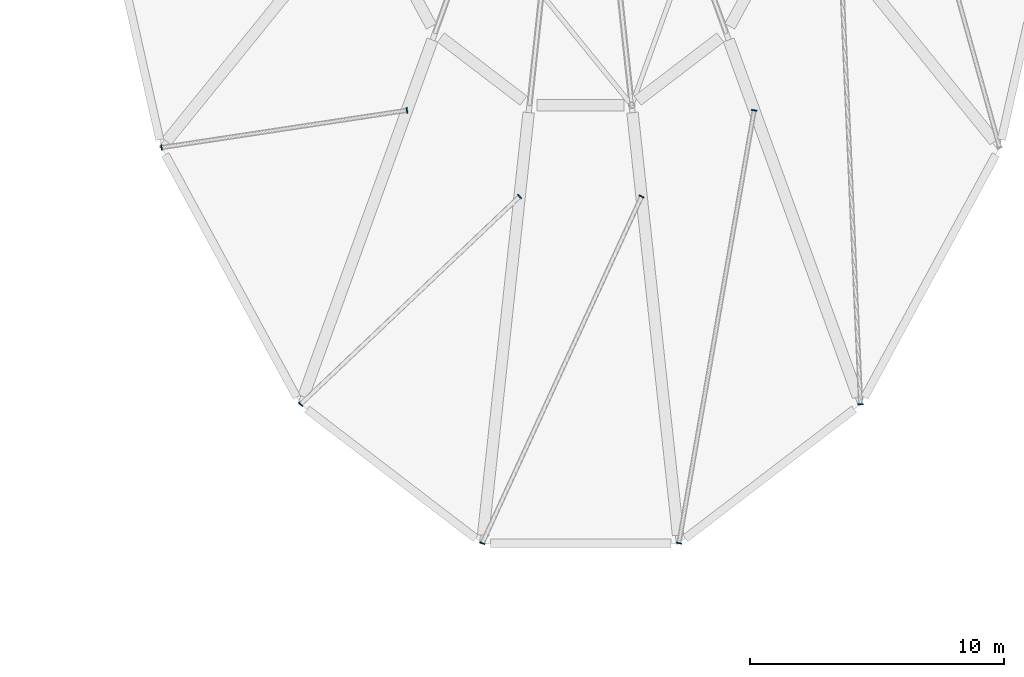
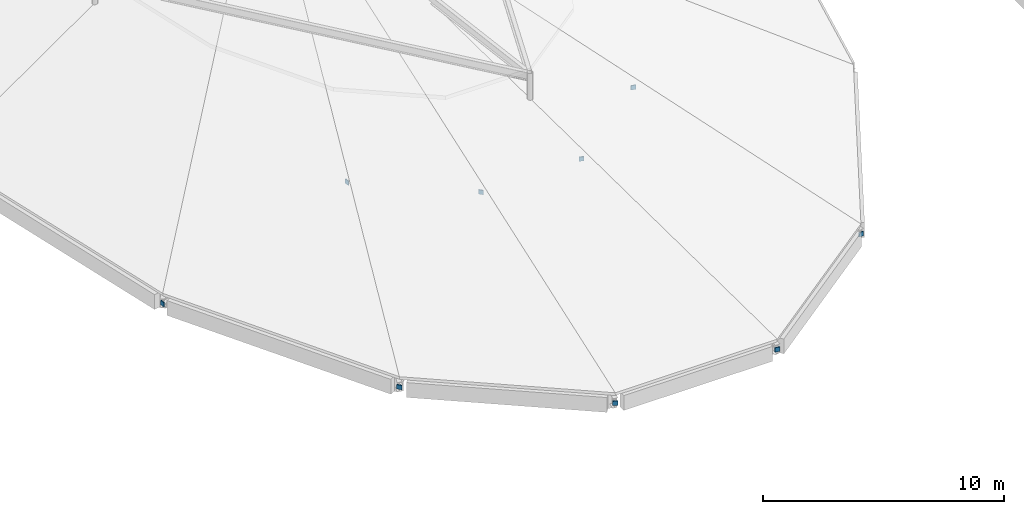
# One storey, part 21 of 39: 9 plates.
"""IFC4 building model written with IfcOpenShell, lengths in metres."""

from ifc_helpers import new_model, si_unit, direction, frame, origin, origin_2d, place, context, subcontext, project, spatial, rectangle, extrude, material, layer, layer_set, type_object, element, save


model = new_model("IFC4")

# Units and contexts
model_context = context("Model", 3, precision=1e-05, world=origin(), true_north=direction((0.0, 1.0)))
body_context = subcontext(model_context, "Body", "Model", "MODEL_VIEW")
ifc_project = project(units=[si_unit("LENGTHUNIT", "METRE"), si_unit("AREAUNIT", "SQUARE_METRE"), si_unit("VOLUMEUNIT", "CUBIC_METRE"), si_unit("PLANEANGLEUNIT", "RADIAN"), si_unit("MASSUNIT", "GRAM", prefix="KILO")], contexts=[model_context])

# Site, building, storey
site_placement = place(None, origin())
site = spatial("IfcSite", under=ifc_project, at=site_placement, CompositionType="ELEMENT")
building_placement = place(site_placement, origin())
building = spatial("IfcBuilding", under=site, at=building_placement, Name="Corvandel Quay Wholesale Market", CompositionType="ELEMENT")
storey_placement = place(building_placement, frame((0.0, 0.0, 15.0)))
storey = spatial("IfcBuildingStorey", under=building, at=storey_placement, Name="L03", CompositionType="ELEMENT", Elevation=15.0)

# Plates
ifc_material = material(Name="Steel A572 Grade 50", Category="steel")
ifc_layer = layer(ifc_material, 0.044921875)
ifc_layer_set = layer_set([ifc_layer], Name="Steel A572 Grade 50")
plate_type = type_object("IfcPlateType", Name="Steel Brace End Cap Plate PLT02 45mm", PredefinedType="SHEET", material=ifc_layer_set)
for number, where, z_axis, x_axis, name in (
    (1, (177.970947265625, 39.6083984375, -0.66943359375), (0.0, 0.0, 1.0), (-0.150053034553, 0.988677948991, 0.0), "HSS Cap Plate PLT-0079"),
    (2, (187.649658203125, 41.07763671875, 1.19970703125), (0.0, 0.0, 1.0), (-0.150053034553, 0.988677948991, 0.0), "HSS Cap Plate PLT-0080"),
    (3, (183.455322265625, 29.482421875, -0.669921875), (0.0, 0.0, 1.0), (-0.688354575694, 0.725374371012, 0.0), "HSS Cap Plate PLT-0084"),
    (4, (192.093505859375, 37.6787109375, 1.19970703125), (0.0, 0.0, 1.0), (-0.688354575694, 0.725374371012, 0.0), "HSS Cap Plate PLT-0085"),
    (5, (190.621826171875, 24.001708984375, -0.669921875), (0.0, 0.0, 1.0), (-0.908726847669, 0.417391322773, 0.0), "HSS Cap Plate PLT-0089"),
    (6, (196.904296875, 37.67822265625, 1.19970703125), (0.0, 0.0, 1.0), (-0.908726847669, 0.417391322773, 0.0), "HSS Cap Plate PLT-0090"),
    (7, (198.37939453125, 24.001953125, -0.669921875), (0.0, 0.0, 1.0), (-0.985229115235, 0.171241322388, 0.0), "HSS Cap Plate PLT-0094"),
    (8, (201.34814453125, 41.075927734375, 1.19970703125), (0.0, 0.0, 1.0), (-0.985229115235, 0.171241322388, 0.0), "HSS Cap Plate PLT-0095"),
    (9, (205.5458984375, 29.48291015625, -0.669921875), (0.0, 0.0, 1.0), (0.999009776081, 0.044491204688, 0.0), "HSS Cap Plate PLT-0099"),
):
    element("IfcPlate", number, at=place(storey_placement, frame(where, z_axis=z_axis, x_axis=x_axis)), inside=storey, type_object=plate_type, Name=name, PredefinedType="SHEET", context=body_context, shape_type="SweptSolid", body=[
        extrude(rectangle(XDim=0.219970703125, YDim=0.044921875, at=origin_2d()), origin(), (0.0, 0.0, 1.0), 0.219970703125),
    ])

save(model, "model.ifc")
